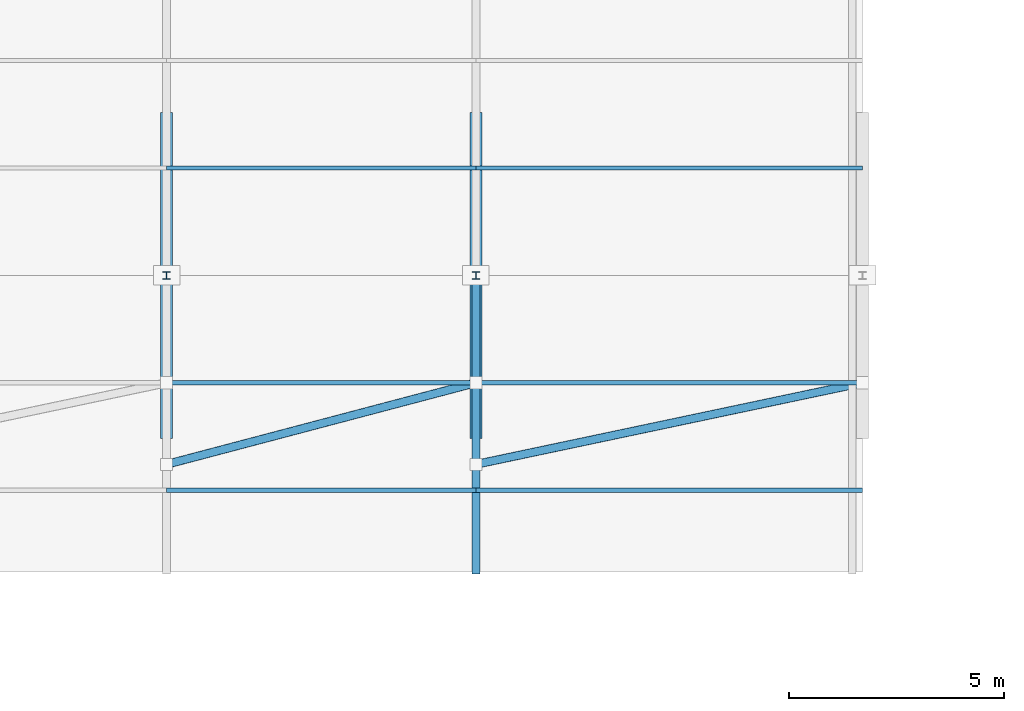
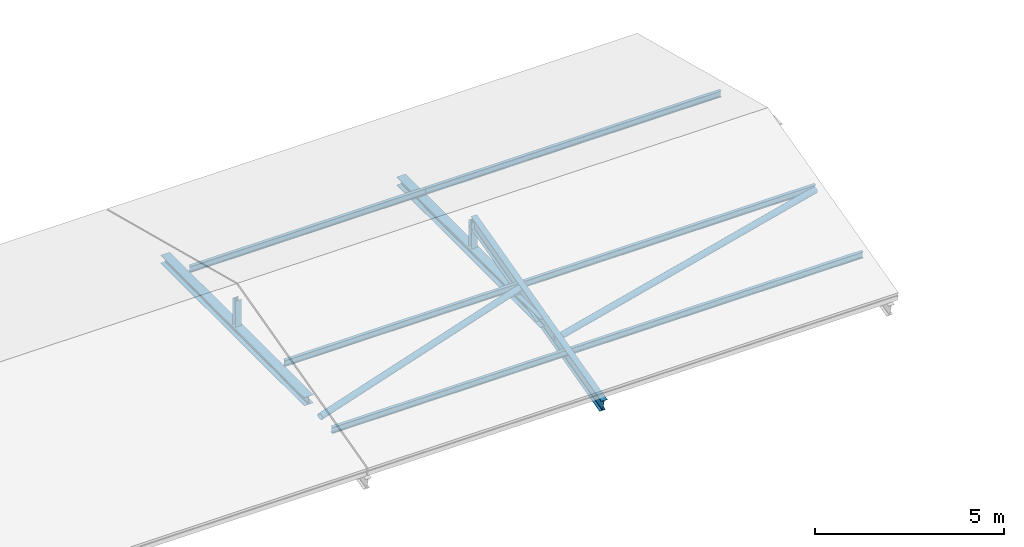
# One storey, part 16 of 31: 13 members.
"""IFC4 building model written with IfcOpenShell, lengths in metres."""

from ifc_helpers import new_model, si_unit, direction, frame, origin, origin_2d, place, context, subcontext, project, spatial, hollow_circle, i_section, extrude, material, material_profile, profile_set, type_object, element, save


model = new_model("IFC4")

# Units and contexts
model_context = context("Model", 3, precision=1e-05, world=origin(), true_north=direction((0.0, 1.0)))
body_context = subcontext(model_context, "Body", "Model", "MODEL_VIEW")
ifc_project = project(units=[si_unit("LENGTHUNIT", "METRE"), si_unit("AREAUNIT", "SQUARE_METRE"), si_unit("VOLUMEUNIT", "CUBIC_METRE"), si_unit("PLANEANGLEUNIT", "RADIAN"), si_unit("MASSUNIT", "GRAM", prefix="KILO")], contexts=[model_context])

# Site, building, storey
site_placement = place(None, origin())
site = spatial("IfcSite", under=ifc_project, at=site_placement, CompositionType="ELEMENT")
building_placement = place(site_placement, origin())
building = spatial("IfcBuilding", under=site, at=building_placement, Name="Clarverna Civic Hall", CompositionType="ELEMENT")
storey_placement = place(building_placement, frame((0.0, 0.0, 31.199951171875)))
storey = spatial("IfcBuildingStorey", under=building, at=storey_placement, Name="RF", CompositionType="ELEMENT", Elevation=31.199951171875)

# Members
ifc_material = material(Name="Steel S355", Category="steel")
ifc_material_profile_1 = material_profile(ifc_material, hollow_circle(Radius=0.096923828125, WallThickness=0.010009765625, at=origin_2d()), Name="CHS 193.7x10.0")
ifc_profile_set_1 = profile_set([ifc_material_profile_1], Name="Steel S355")
member_type_1 = type_object("IfcMemberType", Name="BRR-1", PredefinedType="BRACE", material=ifc_profile_set_1)
member_1_placement = place(storey_placement, frame((50.39990234375, 104.699951171875, -10.50341796875), z_axis=(0.964798397749, 0.254612299257, 0.065853084724), x_axis=(-0.255166180904, 0.966897212801, 0.0)))
element("IfcMember", 1, at=member_1_placement, inside=storey, type_object=member_type_1, Name="BRR-1-007", PredefinedType="BRACE", context=body_context, shape_type="SweptSolid", body=[
    extrude(hollow_circle(Radius=0.096923828125, WallThickness=0.010009765625, at=origin_2d()), origin(), (0.0, 0.0, 1.0), 7.462890625),
])
member_2_placement = place(storey_placement, frame((57.60009765625, 104.699951171875, -10.50341796875), z_axis=(0.977037540615, 0.2062793831, 0.053352228984), x_axis=(-0.206573594386, 0.978431065585, 0.0)))
element("IfcMember", 2, at=member_2_placement, inside=storey, type_object=member_type_1, Name="BRR-1-008", PredefinedType="BRACE", context=body_context, shape_type="SweptSolid", body=[
    extrude(hollow_circle(Radius=0.096923828125, WallThickness=0.010009765625, at=origin_2d()), origin(), (0.0, 0.0, 1.0), 9.21142578125),
])
ifc_material_profile_2 = material_profile(ifc_material, i_section(OverallWidth=0.280029296875, OverallDepth=0.27001953125, WebThickness=0.008056640625, FlangeThickness=0.012939453125, FilletRadius=0.02392578125, at=origin_2d()), Name="HEA 280")
ifc_profile_set_2 = profile_set([ifc_material_profile_2], Name="Steel S355")
member_type_2 = type_object("IfcMemberType", Name="CH-01", PredefinedType="CHORD", material=ifc_profile_set_2)
for number, where, z_axis, x_axis, name in (
    (3, (50.39990234375, 105.304931640625, -10.346923828125), (0.0, 1.0, 0.0), (-1.0, 0.0, 0.0), "CH-01-007"),
    (4, (57.60009765625, 105.304931640625, -10.346923828125), (0.0, 1.0, 0.0), (-1.0, 0.0, 0.0), "CH-01-008"),
):
    element("IfcMember", number, at=place(storey_placement, frame(where, z_axis=z_axis, x_axis=x_axis)), inside=storey, type_object=member_type_2, Name=name, PredefinedType="CHORD", context=body_context, shape_type="SweptSolid", body=[
        extrude(i_section(OverallWidth=0.280029296875, OverallDepth=0.27001953125, WebThickness=0.008056640625, FlangeThickness=0.012939453125, FilletRadius=0.02392578125, at=origin_2d()), origin(), (0.0, 0.0, 1.0), 7.590087890625),
    ])
ifc_material_profile_3 = material_profile(ifc_material, i_section(OverallWidth=0.179931640625, OverallDepth=0.1708984375, WebThickness=0.006103515625, FlangeThickness=0.009521484375, FilletRadius=0.014892578125, at=origin_2d()), Name="HEA 180")
ifc_profile_set_3 = profile_set([ifc_material_profile_3], Name="Steel S355")
member_type_3 = type_object("IfcMemberType", Name="CH-04", PredefinedType="CHORD", material=ifc_profile_set_3)
for number, where, z_axis, x_axis, name in (
    (5, (50.39990234375, 109.10009765625, -10.346923828125), (0.0, 0.0, 1.0), (1.0, 0.0, 0.0), "CH-04-091"),
    (6, (57.60009765625, 109.10009765625, -10.346923828125), (0.0, 0.0, 1.0), (1.0, 0.0, 0.0), "CH-04-092"),
):
    element("IfcMember", number, at=place(storey_placement, frame(where, z_axis=z_axis, x_axis=x_axis)), inside=storey, type_object=member_type_3, Name=name, PredefinedType="CHORD", context=body_context, shape_type="SweptSolid", body=[
        extrude(i_section(OverallWidth=0.179931640625, OverallDepth=0.1708984375, WebThickness=0.006103515625, FlangeThickness=0.009521484375, FilletRadius=0.014892578125, at=origin_2d()), origin(), (0.0, 0.0, 1.0), 0.9814453125),
    ])
ifc_material_profile_4 = material_profile(ifc_material, i_section(OverallWidth=0.10009765625, OverallDepth=0.199951171875, WebThickness=0.005615234375, FlangeThickness=0.008544921875, FilletRadius=0.011962890625, at=origin_2d()), Name="IPE 200")
ifc_profile_set_4 = profile_set([ifc_material_profile_4], Name="Steel S355")
member_type_4 = type_object("IfcMemberType", Name="PU-RF1", PredefinedType="PURLIN", material=ifc_profile_set_4)
member_3_placement = place(storey_placement, frame((50.39990234375, 104.10009765625, -10.568603515625), z_axis=(1.0, 0.0, 0.0), x_axis=(0.0, 1.0, 0.0)))
element("IfcMember", 7, at=member_3_placement, inside=storey, type_object=member_type_4, Name="PU-RF1-007", PredefinedType="PURLIN", context=body_context, shape_type="SweptSolid", body=[
    extrude(i_section(OverallWidth=0.10009765625, OverallDepth=0.199951171875, WebThickness=0.005615234375, FlangeThickness=0.008544921875, FilletRadius=0.011962890625, at=origin_2d()), origin(), (0.0, 0.0, 1.0), 7.2001953125),
])
member_4_placement = place(storey_placement, frame((57.60009765625, 104.10009765625, -10.568603515625), z_axis=(1.0, 0.0, 0.0), x_axis=(0.0, 1.0, 0.0)))
element("IfcMember", 8, at=member_4_placement, inside=storey, type_object=member_type_4, Name="PU-RF1-008", PredefinedType="PURLIN", context=body_context, shape_type="SweptSolid", body=[
    extrude(i_section(OverallWidth=0.10009765625, OverallDepth=0.199951171875, WebThickness=0.005615234375, FlangeThickness=0.008544921875, FilletRadius=0.011962890625, at=origin_2d()), origin(), (0.0, 0.0, 1.0), 9.0),
])
member_5_placement = place(storey_placement, frame((50.39990234375, 106.60009765625, -9.922119140625), z_axis=(1.0, 0.0, 0.0), x_axis=(0.0, 1.0, 0.0)))
element("IfcMember", 9, at=member_5_placement, inside=storey, type_object=member_type_4, Name="PU-RF1-015", PredefinedType="PURLIN", context=body_context, shape_type="SweptSolid", body=[
    extrude(i_section(OverallWidth=0.10009765625, OverallDepth=0.199951171875, WebThickness=0.005615234375, FlangeThickness=0.008544921875, FilletRadius=0.011962890625, at=origin_2d()), origin(), (0.0, 0.0, 1.0), 7.2001953125),
])
member_6_placement = place(storey_placement, frame((57.60009765625, 106.60009765625, -9.922119140625), z_axis=(1.0, 0.0, 0.0), x_axis=(0.0, 1.0, 0.0)))
element("IfcMember", 10, at=member_6_placement, inside=storey, type_object=member_type_4, Name="PU-RF1-016", PredefinedType="PURLIN", context=body_context, shape_type="SweptSolid", body=[
    extrude(i_section(OverallWidth=0.10009765625, OverallDepth=0.199951171875, WebThickness=0.005615234375, FlangeThickness=0.008544921875, FilletRadius=0.011962890625, at=origin_2d()), origin(), (0.0, 0.0, 1.0), 9.0),
])
member_7_placement = place(storey_placement, frame((50.39990234375, 111.60009765625, -9.922119140625), z_axis=(1.0, 0.0, 0.0), x_axis=(0.0, 1.0, 0.0)))
element("IfcMember", 11, at=member_7_placement, inside=storey, type_object=member_type_4, Name="PU-RF1-023", PredefinedType="PURLIN", context=body_context, shape_type="SweptSolid", body=[
    extrude(i_section(OverallWidth=0.10009765625, OverallDepth=0.199951171875, WebThickness=0.005615234375, FlangeThickness=0.008544921875, FilletRadius=0.011962890625, at=origin_2d()), origin(), (0.0, 0.0, 1.0), 7.2001953125),
])
member_8_placement = place(storey_placement, frame((57.60009765625, 111.60009765625, -9.922119140625), z_axis=(1.0, 0.0, 0.0), x_axis=(0.0, 1.0, 0.0)))
element("IfcMember", 12, at=member_8_placement, inside=storey, type_object=member_type_4, Name="PU-RF1-024", PredefinedType="PURLIN", context=body_context, shape_type="SweptSolid", body=[
    extrude(i_section(OverallWidth=0.10009765625, OverallDepth=0.199951171875, WebThickness=0.005615234375, FlangeThickness=0.008544921875, FilletRadius=0.011962890625, at=origin_2d()), origin(), (0.0, 0.0, 1.0), 9.0),
])
ifc_material_profile_5 = material_profile(ifc_material, i_section(OverallWidth=0.179931640625, OverallDepth=0.39990234375, WebThickness=0.008544921875, FlangeThickness=0.013427734375, FilletRadius=0.02099609375, at=origin_2d()), Name="IPE 400")
ifc_profile_set_5 = profile_set([ifc_material_profile_5], Name="Steel S355")
member_type_5 = type_object("IfcMemberType", Name="RF-01", PredefinedType="RAFTER", material=ifc_profile_set_5)
member_9_placement = place(storey_placement, frame((57.60009765625, 102.199951171875, -11.14990234375), z_axis=(0.0, 0.968150204364, 0.250370089647), x_axis=(-1.0, 0.0, 0.0)))
element("IfcMember", 13, at=member_9_placement, inside=storey, type_object=member_type_5, Name="RF-01-015", PredefinedType="RAFTER", context=body_context, shape_type="SweptSolid", body=[
    extrude(i_section(OverallWidth=0.179931640625, OverallDepth=0.39990234375, WebThickness=0.008544921875, FlangeThickness=0.013427734375, FilletRadius=0.02099609375, at=origin_2d()), origin(), (0.0, 0.0, 1.0), 7.127197265625),
])

save(model, "model.ifc")
